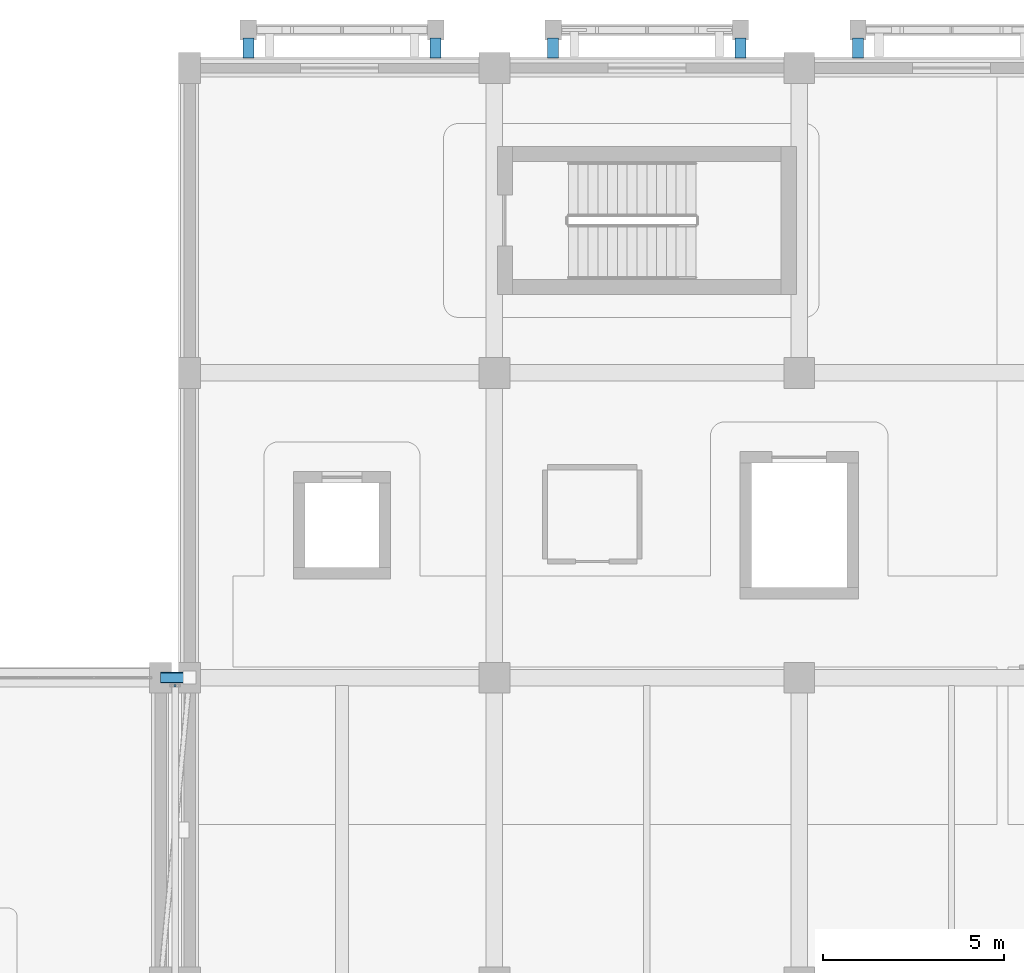
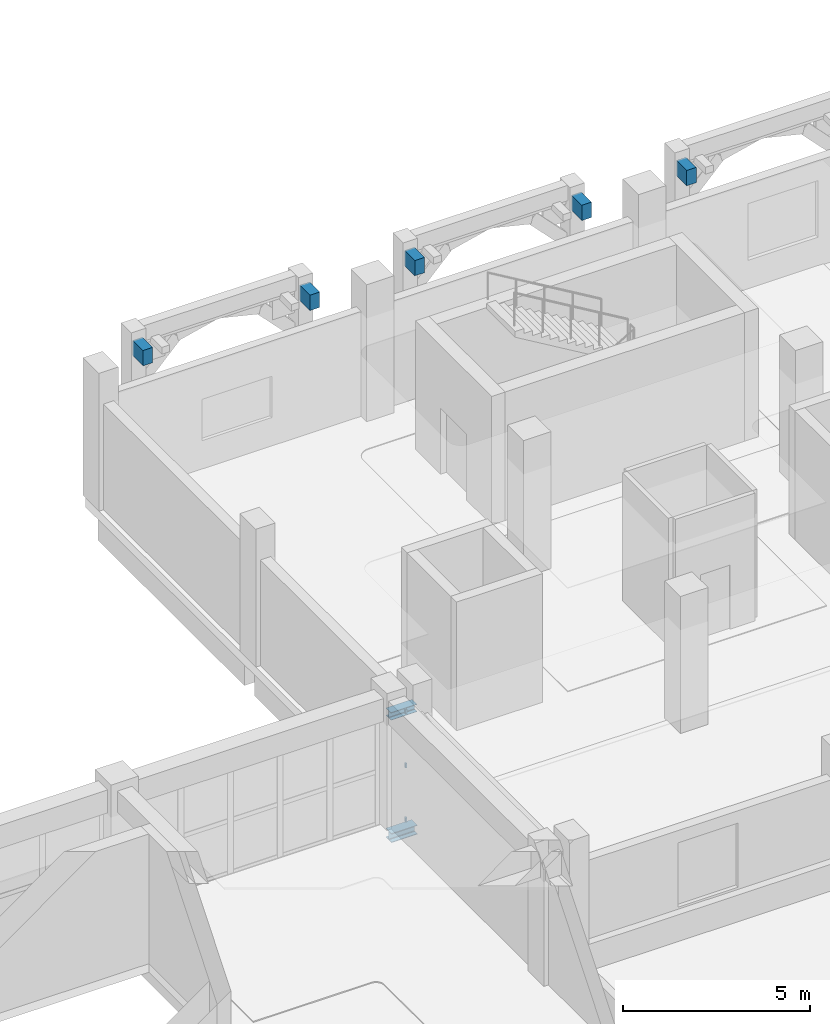
# One storey, part 81 of 129: 7 beams, 3 members, 1 element without a shape of its own.
"""IFC4 building model written with IfcOpenShell, lengths in metres."""

from ifc_helpers import new_model, si_unit, direction, frame, origin, origin_2d, place, context, subcontext, project, spatial, rectangle, hollow_rectangle, i_section, extrude, material, layer, layer_set, material_profile, profile_set, type_object, element, aggregate, save


model = new_model("IFC4")

# Units and contexts
model_context = context("Model", 3, precision=1e-05, world=origin(), true_north=direction((0.0, 1.0)))
body_context = subcontext(model_context, "Body", "Model", "MODEL_VIEW")
ifc_project = project(units=[si_unit("LENGTHUNIT", "METRE"), si_unit("AREAUNIT", "SQUARE_METRE"), si_unit("VOLUMEUNIT", "CUBIC_METRE"), si_unit("PLANEANGLEUNIT", "RADIAN"), si_unit("MASSUNIT", "GRAM", prefix="KILO")], contexts=[model_context])

# Site, building, storey
site_placement = place(None, origin())
site = spatial("IfcSite", under=ifc_project, at=site_placement, CompositionType="ELEMENT")
building_placement = place(site_placement, origin())
building = spatial("IfcBuilding", under=site, at=building_placement, Name="Xazarin Passage Department Store", CompositionType="ELEMENT")
storey_placement = place(building_placement, frame((0.0, 0.0, 9.89990234375)))
storey = spatial("IfcBuildingStorey", under=building, at=storey_placement, Name="L02", CompositionType="ELEMENT", Elevation=9.89990234375)

# Curtain wall, members
ifc_material_1 = material(Name="Bronze anodised aluminium", Category="aluminium")
ifc_layer = layer(ifc_material_1, 0.14990234375)
ifc_layer_set = layer_set([ifc_layer], Name="Bronze anodised aluminium")
curtain_wall_type = type_object("IfcCurtainWallType", Name="ARC-CW-BRG1", PredefinedType="NOTDEFINED", material=ifc_layer_set)
curtain_wall_placement = place(storey_placement, origin())
curtain_wall = element("IfcCurtainWall", 1, at=curtain_wall_placement, inside=storey, type_object=curtain_wall_type, Name="L02 BR-V2N-V4 Bridge Curtain Wall 2", PredefinedType="NOTDEFINED")
ifc_material_profile_1 = material_profile(ifc_material_1, hollow_rectangle(XDim=0.06494140625, YDim=0.139892578125, WallThickness=0.00390625, at=origin_2d()), Name="ALU 65x140")
ifc_profile_set_1 = profile_set([ifc_material_profile_1], Name="Bronze anodised aluminium")
member_type = type_object("IfcMemberType", Name="ARC-CWT-65x140", PredefinedType="USERDEFINED", material=ifc_profile_set_1)
member_1_placement = place(storey_placement, frame((101.97509765625, 92.97998046875, 0.03271484375), z_axis=(1.0, 0.0, 0.0), x_axis=(0.0, 1.0, 0.0)))
member_1 = element("IfcMember", 2, at=member_1_placement, type_object=member_type, Name="CW7 transom 1.1", ObjectType="TRANSOM", PredefinedType="USERDEFINED", context=body_context, shape_type="SweptSolid", body=[
    extrude(hollow_rectangle(XDim=0.06494140625, YDim=0.139892578125, WallThickness=0.00390625, at=origin_2d()), origin(), (0.0, 0.0, 1.0), 0.0498046875),
])
member_2_placement = place(storey_placement, frame((101.97509765625, 92.97998046875, 1.800048828125), z_axis=(1.0, 0.0, 0.0), x_axis=(0.0, 1.0, 0.0)))
member_2 = element("IfcMember", 3, at=member_2_placement, type_object=member_type, Name="CW7 transom 1.2", ObjectType="TRANSOM", PredefinedType="USERDEFINED", context=body_context, shape_type="SweptSolid", body=[
    extrude(hollow_rectangle(XDim=0.06494140625, YDim=0.139892578125, WallThickness=0.00390625, at=origin_2d()), origin(), (0.0, 0.0, 1.0), 0.0498046875),
])
member_3_placement = place(storey_placement, frame((101.97509765625, 92.97998046875, 3.567626953125), z_axis=(1.0, 0.0, 0.0), x_axis=(0.0, 1.0, 0.0)))
member_3 = element("IfcMember", 4, at=member_3_placement, type_object=member_type, Name="CW7 transom 1.3", ObjectType="TRANSOM", PredefinedType="USERDEFINED", context=body_context, shape_type="SweptSolid", body=[
    extrude(hollow_rectangle(XDim=0.06494140625, YDim=0.139892578125, WallThickness=0.00390625, at=origin_2d()), origin(), (0.0, 0.0, 1.0), 0.0498046875),
])
aggregate(curtain_wall, [member_1, member_2, member_3])

# Beams
ifc_material_2 = material(Name="Steel S355", Category="steel")
ifc_material_profile_2 = material_profile(ifc_material_2, i_section(OverallWidth=0.300048828125, OverallDepth=0.300048828125, WebThickness=0.010986328125, FlangeThickness=0.01904296875, FilletRadius=0.027099609375, at=origin_2d()), Name="HEB 300")
ifc_profile_set_2 = profile_set([ifc_material_profile_2], Name="Steel S355")
beam_type_1 = type_object("IfcBeamType", Name="STR-BM-BR300", PredefinedType="BEAM", material=ifc_profile_set_2)
beam_1_placement = place(storey_placement, frame((101.60009765625, 93.199951171875, -0.489990234375), z_axis=(1.0, 0.0, 0.0), x_axis=(0.0, 1.0, 0.0)))
element("IfcBeam", 5, at=beam_1_placement, inside=storey, type_object=beam_type_1, Name="L02 BR-V2N-V4 Bridge Girder B", PredefinedType="BEAM", context=body_context, shape_type="SweptSolid", body=[
    extrude(i_section(OverallWidth=0.300048828125, OverallDepth=0.300048828125, WebThickness=0.010986328125, FlangeThickness=0.01904296875, FilletRadius=0.027099609375, at=origin_2d()), origin(), (0.0, 0.0, 1.0), 0.7998046875),
])
ifc_material_profile_3 = material_profile(ifc_material_2, i_section(OverallWidth=0.260009765625, OverallDepth=0.25, WebThickness=0.007568359375, FlangeThickness=0.012451171875, FilletRadius=0.02392578125, at=origin_2d()), Name="HEA 260")
ifc_profile_set_3 = profile_set([ifc_material_profile_3], Name="Steel S355")
beam_type_2 = type_object("IfcBeamType", Name="STR-BM-CAN260", PredefinedType="BEAM", material=ifc_profile_set_3)
beam_2_placement = place(storey_placement, frame((101.60009765625, 93.199951171875, 3.47509765625), z_axis=(1.0, 0.0, 0.0), x_axis=(0.0, 1.0, 0.0)))
element("IfcBeam", 6, at=beam_2_placement, inside=storey, type_object=beam_type_2, Name="L02 BR-V2N-V4 Bridge Roof Beam B", PredefinedType="BEAM", context=body_context, shape_type="SweptSolid", body=[
    extrude(i_section(OverallWidth=0.260009765625, OverallDepth=0.25, WebThickness=0.007568359375, FlangeThickness=0.012451171875, FilletRadius=0.02392578125, at=origin_2d()), origin(), (0.0, 0.0, 1.0), 0.7998046875),
])
ifc_material_3 = material(Name="Concrete C35/45", Category="concrete")
ifc_material_profile_4 = material_profile(ifc_material_3, rectangle(XDim=0.300048828125, YDim=0.5, at=origin_2d()), Name="RC 300x500")
ifc_profile_set_4 = profile_set([ifc_material_profile_4], Name="Concrete C35/45")
beam_type_3 = type_object("IfcBeamType", Name="STR-BM-LN300x500", PredefinedType="LINTEL", material=ifc_profile_set_4)
for number, where, z_axis, x_axis, name in (
    (7, (104.02001953125, 110.280029296875, 3.9501953125), (0.0, 1.0, 0.0), (-1.0, 0.0, 0.0), "L02 V4 Colonnade Tie Rib 040L"),
    (8, (109.179931640625, 110.280029296875, 3.9501953125), (0.0, 1.0, 0.0), (-1.0, 0.0, 0.0), "L02 V4 Colonnade Tie Rib 040R"),
    (9, (112.419921875, 110.280029296875, 3.9501953125), (0.0, 1.0, 0.0), (-1.0, 0.0, 0.0), "L02 V4 Colonnade Tie Rib 041L"),
    (10, (117.580078125, 110.280029296875, 3.9501953125), (0.0, 1.0, 0.0), (-1.0, 0.0, 0.0), "L02 V4 Colonnade Tie Rib 041R"),
    (11, (120.820068359375, 110.280029296875, 3.9501953125), (0.0, 1.0, 0.0), (-1.0, 0.0, 0.0), "L02 V4 Colonnade Tie Rib 042L"),
):
    element("IfcBeam", number, at=place(storey_placement, frame(where, z_axis=z_axis, x_axis=x_axis)), inside=storey, type_object=beam_type_3, Name=name, PredefinedType="LINTEL", context=body_context, shape_type="SweptSolid", body=[
        extrude(rectangle(XDim=0.300048828125, YDim=0.5, at=origin_2d()), origin(), (0.0, 0.0, 1.0), 0.550048828125),
    ])

save(model, "model.ifc")
